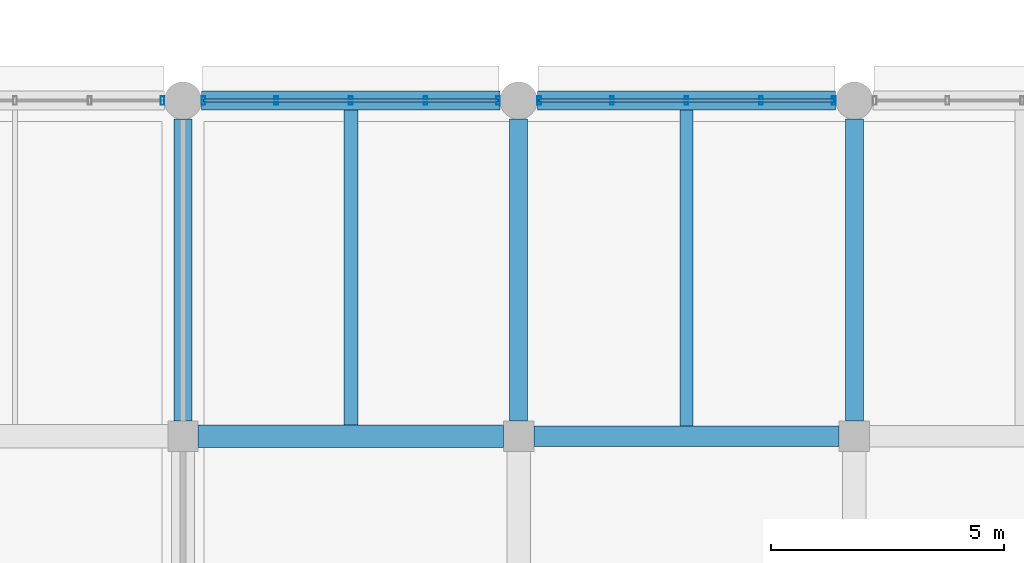
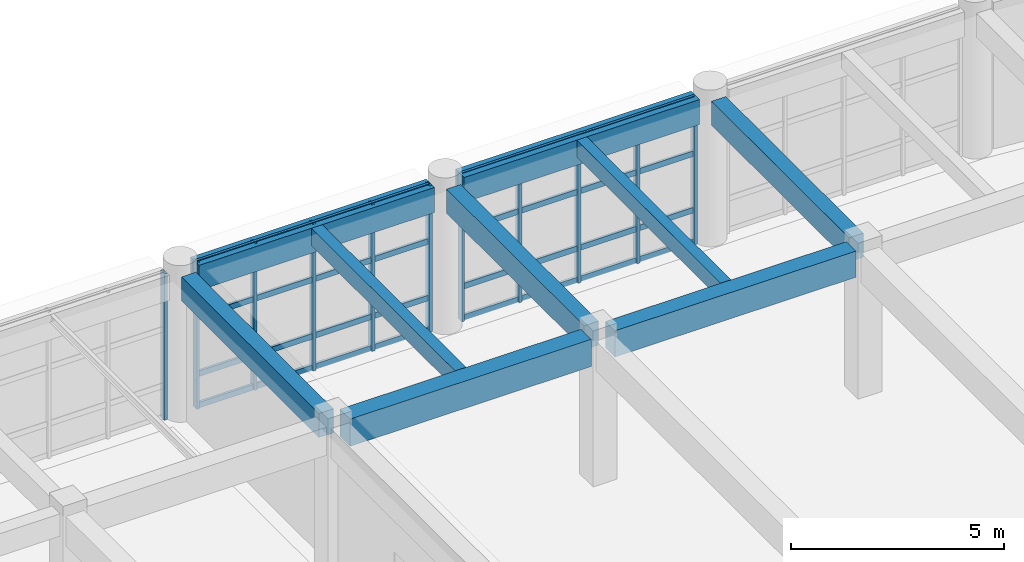
# One storey, part 72 of 171: 19 members, 9 beams, 3 elements without a shape of their own.
"""IFC4 building model written with IfcOpenShell, lengths in metres."""

from ifc_helpers import new_model, si_unit, direction, frame, origin, origin_2d, place, context, subcontext, project, spatial, rectangle, hollow_rectangle, extrude, material, material_profile, profile_set, type_object, element, aggregate, save


model = new_model("IFC4")

# Units and contexts
model_context = context("Model", 3, precision=1e-05, world=origin(), true_north=direction((0.0, 1.0)))
body_context = subcontext(model_context, "Body", "Model", "MODEL_VIEW")
ifc_project = project(units=[si_unit("LENGTHUNIT", "METRE"), si_unit("AREAUNIT", "SQUARE_METRE"), si_unit("VOLUMEUNIT", "CUBIC_METRE"), si_unit("PLANEANGLEUNIT", "RADIAN"), si_unit("MASSUNIT", "GRAM", prefix="KILO")], contexts=[model_context])

# Site, building, storey
site_placement = place(None, origin())
site = spatial("IfcSite", under=ifc_project, at=site_placement, CompositionType="ELEMENT")
building_placement = place(site_placement, origin())
building = spatial("IfcBuilding", under=site, at=building_placement, Name="Thalmaran Polytechnic", CompositionType="ELEMENT")
storey_placement = place(building_placement, frame((0.0, 0.0, 5.39990234375)))
storey = spatial("IfcBuildingStorey", under=building, at=storey_placement, Name="L01", CompositionType="ELEMENT", Elevation=5.39990234375)

# Beams
ifc_material_1 = material(Name="Concrete C40/50", Category="concrete")
ifc_material_profile_1 = material_profile(ifc_material_1, rectangle(XDim=0.449951171875, YDim=0.75, at=origin_2d()), Name="RC 450x750")
ifc_profile_set_1 = profile_set([ifc_material_profile_1], Name="Concrete C40/50")
beam_type_1 = type_object("IfcBeamType", Name="BM-RC03", PredefinedType="BEAM", material=ifc_profile_set_1)
beam_1_placement = place(storey_placement, frame((72.324951171875, 64.800048828125, 3.840087890625), z_axis=(1.0, 0.0, 0.0), x_axis=(0.0, 1.0, 0.0)))
element("IfcBeam", 1, at=beam_1_placement, inside=storey, type_object=beam_type_1, Name="Grid Beam B03 L01 X(10,9)", PredefinedType="BEAM", context=body_context, shape_type="SweptSolid", body=[
    extrude(rectangle(XDim=0.449951171875, YDim=0.75, at=origin_2d()), origin(), (0.0, 0.0, 1.0), 6.550048828125),
])
ifc_material_profile_2 = material_profile(ifc_material_1, rectangle(XDim=0.389892578125, YDim=0.68994140625, at=origin_2d()), Name="RC 390x690")
ifc_profile_set_2 = profile_set([ifc_material_profile_2], Name="Concrete C40/50")
beam_type_2 = type_object("IfcBeamType", Name="BM-RC09", PredefinedType="BEAM", material=ifc_profile_set_2)
for number, where, z_axis, x_axis, name in (
    (2, (64.800048828125, 65.125, 3.864990234375), (0.0, 1.0, 0.0), (-1.0, 0.0, 0.0), "Grid Beam B09 L01 Y(9,9)"),
    (3, (72.0, 65.125, 3.864990234375), (0.0, 1.0, 0.0), (-1.0, 0.0, 0.0), "Grid Beam B09 L01 Y(10,9)"),
    (4, (79.199951171875, 65.125, 3.8701171875), (0.0, 1.0, 0.0), (-1.0, 0.0, 0.0), "Grid Beam B09 L01 Y(11,9)"),
):
    element("IfcBeam", number, at=place(storey_placement, frame(where, z_axis=z_axis, x_axis=x_axis)), inside=storey, type_object=beam_type_2, Name=name, PredefinedType="BEAM", context=body_context, shape_type="SweptSolid", body=[
        extrude(rectangle(XDim=0.389892578125, YDim=0.68994140625, at=origin_2d()), origin(), (0.0, 0.0, 1.0), 6.47509765625),
    ])
ifc_material_profile_3 = material_profile(ifc_material_1, rectangle(XDim=0.300048828125, YDim=0.5, at=origin_2d()), Name="RC 300x500")
ifc_profile_set_3 = profile_set([ifc_material_profile_3], Name="Concrete C40/50")
beam_type_3 = type_object("IfcBeamType", Name="BM-RC11", PredefinedType="JOIST", material=ifc_profile_set_3)
beam_2_placement = place(storey_placement, frame((68.39990234375, 65.0400390625, 3.960205078125), z_axis=(0.0, 1.0, 0.0), x_axis=(-1.0, 0.0, 0.0)))
element("IfcBeam", 5, at=beam_2_placement, inside=storey, type_object=beam_type_3, Name="Secondary Floor Rib RB01 L01 (9,9)", PredefinedType="JOIST", context=body_context, shape_type="SweptSolid", body=[
    extrude(rectangle(XDim=0.300048828125, YDim=0.5, at=origin_2d()), origin(), (0.0, 0.0, 1.0), 6.760009765625),
])
ifc_material_profile_4 = material_profile(ifc_material_1, rectangle(XDim=0.39990234375, YDim=0.719970703125, at=origin_2d()), Name="RC 400x720")
ifc_profile_set_4 = profile_set([ifc_material_profile_4], Name="Concrete C40/50")
beam_type_4 = type_object("IfcBeamType", Name="BM-SP01", PredefinedType="SPANDREL", material=ifc_profile_set_4)
for number, where, z_axis, x_axis, name in (
    (6, (65.199951171875, 72.0, 3.85009765625), (1.0, 0.0, 0.0), (0.0, 1.0, 0.0), "Grid Beam SP01 L01 X(9,10)"),
    (7, (72.39990234375, 72.0, 3.85498046875), (1.0, 0.0, 0.0), (0.0, 1.0, 0.0), "Grid Beam SP01 L01 X(10,10)"),
):
    element("IfcBeam", number, at=place(storey_placement, frame(where, z_axis=z_axis, x_axis=x_axis)), inside=storey, type_object=beam_type_4, Name=name, PredefinedType="SPANDREL", context=body_context, shape_type="SweptSolid", body=[
        extrude(rectangle(XDim=0.39990234375, YDim=0.719970703125, at=origin_2d()), origin(), (0.0, 0.0, 1.0), 6.400146484375),
    ])
ifc_material_profile_5 = material_profile(ifc_material_1, rectangle(XDim=0.47998046875, YDim=0.780029296875, at=origin_2d()), Name="RC 480x780")
ifc_profile_set_5 = profile_set([ifc_material_profile_5], Name="Concrete C40/50")
beam_type_5 = type_object("IfcBeamType", Name="BM-ZB01", PredefinedType="BEAM", material=ifc_profile_set_5)
beam_3_placement = place(storey_placement, frame((65.125, 64.800048828125, 3.820068359375), z_axis=(1.0, 0.0, 0.0), x_axis=(0.0, 1.0, 0.0)))
element("IfcBeam", 8, at=beam_3_placement, inside=storey, type_object=beam_type_5, Name="Grid Beam ZB01 L01 X(9,9)", PredefinedType="BEAM", context=body_context, shape_type="SweptSolid", body=[
    extrude(rectangle(XDim=0.47998046875, YDim=0.780029296875, at=origin_2d()), origin(), (0.0, 0.0, 1.0), 6.550048828125),
])
ifc_material_profile_6 = material_profile(ifc_material_1, rectangle(XDim=0.280029296875, YDim=0.47998046875, at=origin_2d()), Name="RC 280x480")
ifc_profile_set_6 = profile_set([ifc_material_profile_6], Name="Concrete C40/50")
beam_type_6 = type_object("IfcBeamType", Name="BM-ZJ01", PredefinedType="JOIST", material=ifc_profile_set_6)
beam_4_placement = place(storey_placement, frame((75.60009765625, 65.02490234375, 3.97509765625), z_axis=(0.0, 1.0, 0.0), x_axis=(-1.0, 0.0, 0.0)))
element("IfcBeam", 9, at=beam_4_placement, inside=storey, type_object=beam_type_6, Name="Secondary Floor Rib ZJ01 L01 (10,9)", PredefinedType="JOIST", context=body_context, shape_type="SweptSolid", body=[
    extrude(rectangle(XDim=0.280029296875, YDim=0.47998046875, at=origin_2d()), origin(), (0.0, 0.0, 1.0), 6.775146484375),
])

# Curtain wall, member
ifc_material_2 = material(Name="Aluminium 6063-T6", Category="aluminium")
curtain_wall_type = type_object("IfcCurtainWallType", Name="CW-SC01", PredefinedType="USERDEFINED", material=ifc_material_2)
curtain_wall_1_placement = place(storey_placement, origin())
curtain_wall_1 = element("IfcCurtainWall", 10, at=curtain_wall_1_placement, inside=storey, type_object=curtain_wall_type, Name="Curtain Wall CW-L01-144", ObjectType="STICK CURTAIN WALL", PredefinedType="USERDEFINED")
ifc_material_profile_7 = material_profile(ifc_material_2, hollow_rectangle(XDim=0.080078125, YDim=0.179931640625, WallThickness=0.0048828125, at=origin_2d()), Name="RHS 180x80x5.0")
ifc_profile_set_7 = profile_set([ifc_material_profile_7], Name="Aluminium 6063-T6")
member_type_1 = type_object("IfcMemberType", Name="CW-MUL1", PredefinedType="MULLION", material=ifc_profile_set_7)
member_1_placement = place(storey_placement, frame((64.360107421875, 72.0, 0.0), z_axis=(0.0, 0.0, 1.0), x_axis=(1.0, 0.0, 0.0)))
member_1 = element("IfcMember", 11, at=member_1_placement, type_object=member_type_1, Name="CW-L01-144 Mullion 5", PredefinedType="MULLION", context=body_context, shape_type="SweptSolid", body=[
    extrude(hollow_rectangle(XDim=0.080078125, YDim=0.179931640625, WallThickness=0.0048828125, at=origin_2d()), origin(), (0.0, 0.0, 1.0), 4.210205078125),
])
aggregate(curtain_wall_1, [member_1])

# Curtain wall, members
curtain_wall_2_placement = place(storey_placement, origin())
curtain_wall_2 = element("IfcCurtainWall", 12, at=curtain_wall_2_placement, inside=storey, type_object=curtain_wall_type, Name="Curtain Wall CW-L01-145", ObjectType="STICK CURTAIN WALL", PredefinedType="USERDEFINED")
member_2_placement = place(storey_placement, frame((65.239990234375, 72.0, 0.0), z_axis=(0.0, 0.0, 1.0), x_axis=(1.0, 0.0, 0.0)))
member_2 = element("IfcMember", 13, at=member_2_placement, type_object=member_type_1, Name="CW-L01-145 Mullion 1", PredefinedType="MULLION", context=body_context, shape_type="SweptSolid", body=[
    extrude(hollow_rectangle(XDim=0.080078125, YDim=0.179931640625, WallThickness=0.0048828125, at=origin_2d()), origin(), (0.0, 0.0, 1.0), 4.210205078125),
])
member_3_placement = place(storey_placement, frame((66.800048828125, 72.0, 0.0), z_axis=(0.0, 0.0, 1.0), x_axis=(1.0, 0.0, 0.0)))
member_3 = element("IfcMember", 14, at=member_3_placement, type_object=member_type_1, Name="CW-L01-145 Mullion 2", PredefinedType="MULLION", context=body_context, shape_type="SweptSolid", body=[
    extrude(hollow_rectangle(XDim=0.080078125, YDim=0.179931640625, WallThickness=0.0048828125, at=origin_2d()), origin(), (0.0, 0.0, 1.0), 4.210205078125),
])
member_4_placement = place(storey_placement, frame((68.39990234375, 72.0, 0.0), z_axis=(0.0, 0.0, 1.0), x_axis=(1.0, 0.0, 0.0)))
member_4 = element("IfcMember", 15, at=member_4_placement, type_object=member_type_1, Name="CW-L01-145 Mullion 3", PredefinedType="MULLION", context=body_context, shape_type="SweptSolid", body=[
    extrude(hollow_rectangle(XDim=0.080078125, YDim=0.179931640625, WallThickness=0.0048828125, at=origin_2d()), origin(), (0.0, 0.0, 1.0), 4.210205078125),
])
member_5_placement = place(storey_placement, frame((70.0, 72.0, 0.0), z_axis=(0.0, 0.0, 1.0), x_axis=(1.0, 0.0, 0.0)))
member_5 = element("IfcMember", 16, at=member_5_placement, type_object=member_type_1, Name="CW-L01-145 Mullion 4", PredefinedType="MULLION", context=body_context, shape_type="SweptSolid", body=[
    extrude(hollow_rectangle(XDim=0.080078125, YDim=0.179931640625, WallThickness=0.0048828125, at=origin_2d()), origin(), (0.0, 0.0, 1.0), 4.210205078125),
])
member_6_placement = place(storey_placement, frame((71.56005859375, 72.0, 0.0), z_axis=(0.0, 0.0, 1.0), x_axis=(1.0, 0.0, 0.0)))
member_6 = element("IfcMember", 17, at=member_6_placement, type_object=member_type_1, Name="CW-L01-145 Mullion 5", PredefinedType="MULLION", context=body_context, shape_type="SweptSolid", body=[
    extrude(hollow_rectangle(XDim=0.080078125, YDim=0.179931640625, WallThickness=0.0048828125, at=origin_2d()), origin(), (0.0, 0.0, 1.0), 4.210205078125),
])

curtain_wall_3_placement = place(storey_placement, origin())
curtain_wall_3 = element("IfcCurtainWall", 18, at=curtain_wall_3_placement, inside=storey, type_object=curtain_wall_type, Name="Curtain Wall CW-L01-146", ObjectType="STICK CURTAIN WALL", PredefinedType="USERDEFINED")
member_7_placement = place(storey_placement, frame((72.43994140625, 72.0, 0.0), z_axis=(0.0, 0.0, 1.0), x_axis=(1.0, 0.0, 0.0)))
member_7 = element("IfcMember", 19, at=member_7_placement, type_object=member_type_1, Name="CW-L01-146 Mullion 1", PredefinedType="MULLION", context=body_context, shape_type="SweptSolid", body=[
    extrude(hollow_rectangle(XDim=0.080078125, YDim=0.179931640625, WallThickness=0.0048828125, at=origin_2d()), origin(), (0.0, 0.0, 1.0), 4.210205078125),
])
member_8_placement = place(storey_placement, frame((74.0, 72.0, 0.0), z_axis=(0.0, 0.0, 1.0), x_axis=(1.0, 0.0, 0.0)))
member_8 = element("IfcMember", 20, at=member_8_placement, type_object=member_type_1, Name="CW-L01-146 Mullion 2", PredefinedType="MULLION", context=body_context, shape_type="SweptSolid", body=[
    extrude(hollow_rectangle(XDim=0.080078125, YDim=0.179931640625, WallThickness=0.0048828125, at=origin_2d()), origin(), (0.0, 0.0, 1.0), 4.210205078125),
])
member_9_placement = place(storey_placement, frame((75.60009765625, 72.0, 0.0), z_axis=(0.0, 0.0, 1.0), x_axis=(1.0, 0.0, 0.0)))
member_9 = element("IfcMember", 21, at=member_9_placement, type_object=member_type_1, Name="CW-L01-146 Mullion 3", PredefinedType="MULLION", context=body_context, shape_type="SweptSolid", body=[
    extrude(hollow_rectangle(XDim=0.080078125, YDim=0.179931640625, WallThickness=0.0048828125, at=origin_2d()), origin(), (0.0, 0.0, 1.0), 4.210205078125),
])
member_10_placement = place(storey_placement, frame((77.199951171875, 72.0, 0.0), z_axis=(0.0, 0.0, 1.0), x_axis=(1.0, 0.0, 0.0)))
member_10 = element("IfcMember", 22, at=member_10_placement, type_object=member_type_1, Name="CW-L01-146 Mullion 4", PredefinedType="MULLION", context=body_context, shape_type="SweptSolid", body=[
    extrude(hollow_rectangle(XDim=0.080078125, YDim=0.179931640625, WallThickness=0.0048828125, at=origin_2d()), origin(), (0.0, 0.0, 1.0), 4.210205078125),
])
member_11_placement = place(storey_placement, frame((78.760009765625, 72.0, 0.0), z_axis=(0.0, 0.0, 1.0), x_axis=(1.0, 0.0, 0.0)))
member_11 = element("IfcMember", 23, at=member_11_placement, type_object=member_type_1, Name="CW-L01-146 Mullion 5", PredefinedType="MULLION", context=body_context, shape_type="SweptSolid", body=[
    extrude(hollow_rectangle(XDim=0.080078125, YDim=0.179931640625, WallThickness=0.0048828125, at=origin_2d()), origin(), (0.0, 0.0, 1.0), 4.210205078125),
])

# Member
ifc_material_profile_8 = material_profile(ifc_material_2, hollow_rectangle(XDim=0.070068359375, YDim=0.159912109375, WallThickness=0.00390625, at=origin_2d()), Name="AL 160x70x4.0")
ifc_profile_set_8 = profile_set([ifc_material_profile_8], Name="Aluminium 6063-T6")
member_type_2 = type_object("IfcMemberType", Name="CW-TRN1", PredefinedType="USERDEFINED", material=ifc_profile_set_8)
member_12_placement = place(storey_placement, frame((65.239990234375, 72.0, 0.06005859375), z_axis=(1.0, 0.0, 0.0), x_axis=(0.0, 1.0, 0.0)))
member_12 = element("IfcMember", 24, at=member_12_placement, type_object=member_type_2, Name="CW-L01-145 Transom 1", ObjectType="TRANSOM", PredefinedType="USERDEFINED", context=body_context, shape_type="SweptSolid", body=[
    extrude(hollow_rectangle(XDim=0.070068359375, YDim=0.159912109375, WallThickness=0.00390625, at=origin_2d()), origin(), (0.0, 0.0, 1.0), 6.320068359375),
])

member_13_placement = place(storey_placement, frame((65.239990234375, 72.0, 0.960205078125), z_axis=(1.0, 0.0, 0.0), x_axis=(0.0, 1.0, 0.0)))
member_13 = element("IfcMember", 25, at=member_13_placement, type_object=member_type_2, Name="CW-L01-145 Transom 2", ObjectType="TRANSOM", PredefinedType="USERDEFINED", context=body_context, shape_type="SweptSolid", body=[
    extrude(hollow_rectangle(XDim=0.070068359375, YDim=0.159912109375, WallThickness=0.00390625, at=origin_2d()), origin(), (0.0, 0.0, 1.0), 6.320068359375),
])

member_14_placement = place(storey_placement, frame((65.239990234375, 72.0, 2.585205078125), z_axis=(1.0, 0.0, 0.0), x_axis=(0.0, 1.0, 0.0)))
member_14 = element("IfcMember", 26, at=member_14_placement, type_object=member_type_2, Name="CW-L01-145 Transom 3", ObjectType="TRANSOM", PredefinedType="USERDEFINED", context=body_context, shape_type="SweptSolid", body=[
    extrude(hollow_rectangle(XDim=0.070068359375, YDim=0.159912109375, WallThickness=0.00390625, at=origin_2d()), origin(), (0.0, 0.0, 1.0), 6.320068359375),
])

member_15_placement = place(storey_placement, frame((65.239990234375, 72.0, 4.150146484375), z_axis=(1.0, 0.0, 0.0), x_axis=(0.0, 1.0, 0.0)))
member_15 = element("IfcMember", 27, at=member_15_placement, type_object=member_type_2, Name="CW-L01-145 Transom 4", ObjectType="TRANSOM", PredefinedType="USERDEFINED", context=body_context, shape_type="SweptSolid", body=[
    extrude(hollow_rectangle(XDim=0.070068359375, YDim=0.159912109375, WallThickness=0.00390625, at=origin_2d()), origin(), (0.0, 0.0, 1.0), 6.320068359375),
])

aggregate(curtain_wall_2, [member_2, member_3, member_4, member_5, member_6, member_12, member_13, member_14, member_15])

member_16_placement = place(storey_placement, frame((72.43994140625, 72.0, 0.06005859375), z_axis=(1.0, 0.0, 0.0), x_axis=(0.0, 1.0, 0.0)))
member_16 = element("IfcMember", 28, at=member_16_placement, type_object=member_type_2, Name="CW-L01-146 Transom 1", ObjectType="TRANSOM", PredefinedType="USERDEFINED", context=body_context, shape_type="SweptSolid", body=[
    extrude(hollow_rectangle(XDim=0.070068359375, YDim=0.159912109375, WallThickness=0.00390625, at=origin_2d()), origin(), (0.0, 0.0, 1.0), 6.320068359375),
])

member_17_placement = place(storey_placement, frame((72.43994140625, 72.0, 0.960205078125), z_axis=(1.0, 0.0, 0.0), x_axis=(0.0, 1.0, 0.0)))
member_17 = element("IfcMember", 29, at=member_17_placement, type_object=member_type_2, Name="CW-L01-146 Transom 2", ObjectType="TRANSOM", PredefinedType="USERDEFINED", context=body_context, shape_type="SweptSolid", body=[
    extrude(hollow_rectangle(XDim=0.070068359375, YDim=0.159912109375, WallThickness=0.00390625, at=origin_2d()), origin(), (0.0, 0.0, 1.0), 6.320068359375),
])

member_18_placement = place(storey_placement, frame((72.43994140625, 72.0, 2.585205078125), z_axis=(1.0, 0.0, 0.0), x_axis=(0.0, 1.0, 0.0)))
member_18 = element("IfcMember", 30, at=member_18_placement, type_object=member_type_2, Name="CW-L01-146 Transom 3", ObjectType="TRANSOM", PredefinedType="USERDEFINED", context=body_context, shape_type="SweptSolid", body=[
    extrude(hollow_rectangle(XDim=0.070068359375, YDim=0.159912109375, WallThickness=0.00390625, at=origin_2d()), origin(), (0.0, 0.0, 1.0), 6.320068359375),
])

member_19_placement = place(storey_placement, frame((72.43994140625, 72.0, 4.150146484375), z_axis=(1.0, 0.0, 0.0), x_axis=(0.0, 1.0, 0.0)))
member_19 = element("IfcMember", 31, at=member_19_placement, type_object=member_type_2, Name="CW-L01-146 Transom 4", ObjectType="TRANSOM", PredefinedType="USERDEFINED", context=body_context, shape_type="SweptSolid", body=[
    extrude(hollow_rectangle(XDim=0.070068359375, YDim=0.159912109375, WallThickness=0.00390625, at=origin_2d()), origin(), (0.0, 0.0, 1.0), 6.320068359375),
])

aggregate(curtain_wall_3, [member_7, member_8, member_9, member_10, member_11, member_16, member_17, member_18, member_19])

save(model, "model.ifc")
